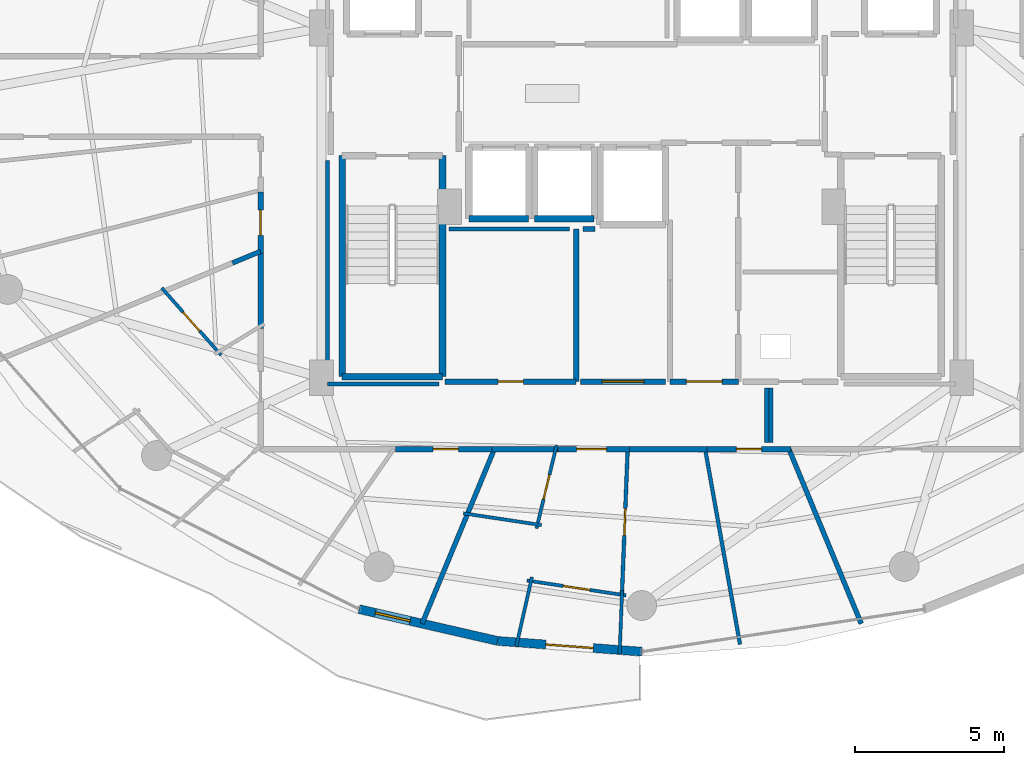
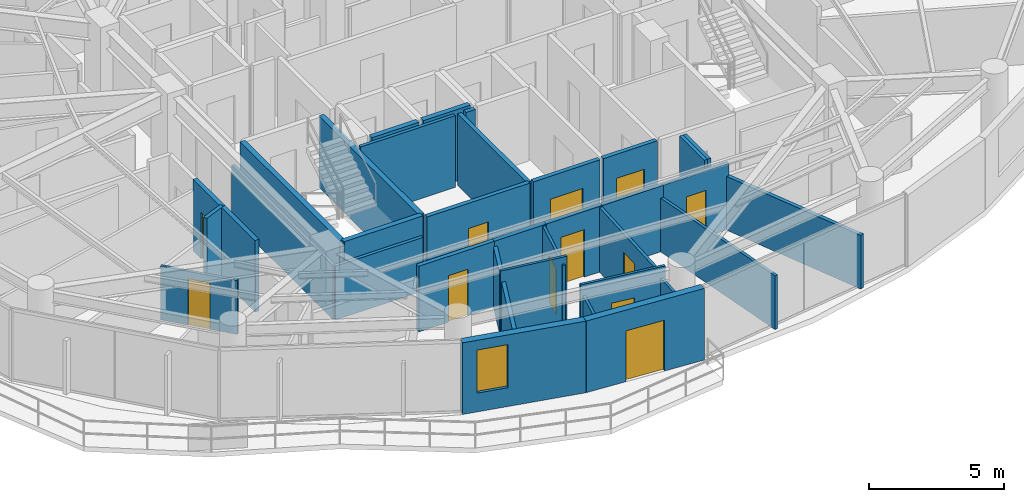
# One storey, part 20 of 28: 35 walls, 12 doors, 1 window, 13 openings.
"""IFC4 building model written with IfcOpenShell, lengths in metres."""

import ifcopenshell
import ifcopenshell.guid

model = None  # the IFC model being written
_history = None  # IfcOwnerHistory: only IFC2X3 demands one
_inside = {}  # id of a spatial element -> (the spatial element, [elements in it])
_under = {}  # id of a project, library or spatial element -> (it, [spatial elements below it])
_declared = {}  # id of a project -> (the project, [libraries it declares])
_typed = {}  # id of a type object -> (the type object, [elements of that type])
_made_of = {}  # id of a material, layer set ... -> (it, [elements and type objects made of it])


def new_model(schema):
    """Start an empty IFC model of exactly this schema.

    Asked for "IFC4X3", IfcOpenShell would pick the latest addendum, in which some entities
    have other attributes; the version numbers below select the first issue.
    IFC2X3 requires an IfcOwnerHistory on every rooted entity: one is made here for all.
    """
    global model, _history
    if schema == "IFC4X3":
        model = ifcopenshell.file(schema_version=(4, 3, 0, 0))
    else:
        model = ifcopenshell.file(schema=schema)
    _inside.clear()
    _under.clear()
    _declared.clear()
    _typed.clear()
    _made_of.clear()
    _history = None
    if model.schema == "IFC2X3":
        org = make("IfcOrganization", Name="unknown")
        user = make(
            "IfcPersonAndOrganization",
            ThePerson=make("IfcPerson", FamilyName="unknown"),
            TheOrganization=org,
        )
        app = make(
            "IfcApplication",
            ApplicationDeveloper=org,
            Version="unknown",
            ApplicationFullName="unknown",
            ApplicationIdentifier="unknown",
        )
        _history = make(
            "IfcOwnerHistory",
            OwningUser=user,
            OwningApplication=app,
            ChangeAction="ADDED",
            CreationDate=0,
        )
    return model


def make(cls, **values):
    """One entity of the class cls with the attributes given. An attribute that is None is left unset."""
    return model.create_entity(
        cls, **{name: value for name, value in values.items() if value is not None}
    )


def rooted(cls, **values):
    """An entity with a GlobalId (a new one), such as an element, a storey or a relation."""
    return make(cls, GlobalId=ifcopenshell.guid.new(), OwnerHistory=_history, **values)


def si_unit(unit_type, name, prefix=None):
    """IfcSIUnit, for example si_unit("LENGTHUNIT", "METRE", prefix="MILLI")."""
    return make("IfcSIUnit", UnitType=unit_type, Prefix=prefix, Name=name)


def assignment(units):
    """IfcUnitAssignment: the units of a project."""
    return None if units is None else make("IfcUnitAssignment", Units=units)


def point(xyz):
    """IfcCartesianPoint."""
    return None if xyz is None else make("IfcCartesianPoint", Coordinates=xyz)


def direction(xyz):
    """IfcDirection."""
    return None if xyz is None else make("IfcDirection", DirectionRatios=xyz)


def frame(location, z_axis=None, x_axis=None):
    """IfcAxis2Placement3D, a coordinate frame: its origin and axes. An axis left out is left unset."""
    return make(
        "IfcAxis2Placement3D",
        Location=point(location),
        Axis=direction(z_axis),
        RefDirection=direction(x_axis),
    )


def frame_2d(location, x_axis=None):
    """IfcAxis2Placement2D, a coordinate frame in the plane: its origin and x axis."""
    return make(
        "IfcAxis2Placement2D", Location=point(location), RefDirection=direction(x_axis)
    )


def origin():
    """The frame at (0, 0, 0) with its axes left unset."""
    return frame((0.0, 0.0, 0.0))


def place(relative_to, where):
    """IfcLocalPlacement: puts the frame where relative to a parent placement (None: the world)."""
    return make(
        "IfcLocalPlacement", PlacementRelTo=relative_to, RelativePlacement=where
    )


def context(
    kind, dimensions, precision=None, world=None, true_north=None, identifier=None
):
    """IfcGeometricRepresentationContext, for example the 3D "Model" context."""
    return make(
        "IfcGeometricRepresentationContext",
        ContextIdentifier=identifier,
        ContextType=kind,
        CoordinateSpaceDimension=dimensions,
        Precision=precision,
        WorldCoordinateSystem=world,
        TrueNorth=true_north,
    )


def subcontext(parent, identifier, kind, view, scale=None):
    """IfcGeometricRepresentationSubContext, for example "Body" below "Model"."""
    return make(
        "IfcGeometricRepresentationSubContext",
        ContextIdentifier=identifier,
        ContextType=kind,
        ParentContext=parent,
        TargetScale=scale,
        TargetView=view,
    )


def project(units=None, contexts=None):
    """IfcProject with its units and contexts."""
    return rooted(
        "IfcProject",
        Name="project",
        RepresentationContexts=contexts,
        UnitsInContext=assignment(units),
    )


def spatial(cls, under=None, at=None, **own):
    """A site, building, storey or space (cls), placed at a placement, below another one or the project."""
    s = rooted(cls, ObjectPlacement=at, **own)
    if under is not None:
        _under.setdefault(under.id(), (under, []))[1].append(s)
    return s


def profile(cls, at=None, kind="AREA", **sizes):
    """A parametric profile (cls). Its sizes go by their IFC names, for example OverallWidth=200.0."""
    return make(cls, ProfileType=kind, Position=at, **sizes)


def rectangle(**sizes):
    """IfcRectangleProfileDef."""
    return profile("IfcRectangleProfileDef", **sizes)


def extrude(swept, where, along, depth):
    """IfcExtrudedAreaSolid: the profile swept, set in the frame where, extruded along a direction by depth."""
    return make(
        "IfcExtrudedAreaSolid",
        SweptArea=swept,
        Position=where,
        ExtrudedDirection=direction(along),
        Depth=depth,
    )


def shape(context_of_items, identifier, shape_type, items):
    """IfcShapeRepresentation: the items that make up one representation, for example the "Body"."""
    return make(
        "IfcShapeRepresentation",
        ContextOfItems=context_of_items,
        RepresentationIdentifier=identifier,
        RepresentationType=shape_type,
        Items=items,
    )


def material(Name=None, Category=None):
    """IfcMaterial."""
    return make("IfcMaterial", Name=Name, Category=Category)


def layer(
    of_material, thickness, ventilated=None, Name=None, Category=None, Priority=None
):
    """IfcMaterialLayer: one layer of a wall or slab, of a material (None: an air gap)."""
    return make(
        "IfcMaterialLayer",
        Material=of_material,
        LayerThickness=thickness,
        IsVentilated=ventilated,
        Name=Name,
        Category=Category,
        Priority=Priority,
    )


def layer_set(layers, Name=None):
    """IfcMaterialLayerSet."""
    return make("IfcMaterialLayerSet", MaterialLayers=layers, LayerSetName=Name)


def made_of(thing, what):
    """Note that an element or type object is made of a material, layer set ...; save() writes the relation."""
    if what is not None:
        _made_of.setdefault(what.id(), (what, []))[1].append(thing)
    return thing


def type_object(cls, material=None, **own):
    """A type object (cls), such as IfcWallType, which elements share."""
    return made_of(rooted(cls, **own), material)


def element(
    cls,
    number,
    at=None,
    inside=None,
    cuts=None,
    type_object=None,
    material=None,
    context=None,
    identifier="Body",
    shape_type=None,
    held_by="IfcProductDefinitionShape",
    body=None,
    shapes=None,
    **own,
):
    """One element of the class cls, such as IfcWall. Its Tag is "e" and its number.

    at: its placement. inside: the storey or other place that contains it. cuts: it is an
    opening in that element (IfcRelVoidsElement). A single representation is given by context,
    identifier, shape_type and body (its items); several are given by shapes. held_by: the class
    of the entity that holds the representations. save() writes the other relations.
    """
    e = rooted(cls, Tag="e%d" % number, ObjectPlacement=at, **own)
    if body is not None:
        shapes = [shape(context, identifier, shape_type, body)]
    if shapes is not None:
        e.Representation = make(held_by, Representations=shapes)
    if inside is not None:
        _inside.setdefault(inside.id(), (inside, []))[1].append(e)
    if cuts is not None:
        rooted(
            "IfcRelVoidsElement", RelatingBuildingElement=cuts, RelatedOpeningElement=e
        )
    if type_object is not None:
        _typed.setdefault(type_object.id(), (type_object, []))[1].append(e)
    return made_of(e, material)


def fill(opening, filler):
    """IfcRelFillsElement: the door or window that sits in an opening."""
    return rooted(
        "IfcRelFillsElement",
        RelatingOpeningElement=opening,
        RelatedBuildingElement=filler,
    )


def aggregate(whole, parts):
    """IfcRelAggregates: a whole, such as a stair, and the parts it consists of."""
    return rooted("IfcRelAggregates", RelatingObject=whole, RelatedObjects=parts)


def save(model, path):
    """Write the relations noted so far, then the file.

    IfcRelAggregates (storeys below a building ...), IfcRelContainedInSpatialStructure (elements
    in a storey), IfcRelDefinesByType, IfcRelAssociatesMaterial and IfcRelDeclares: one each for
    every whole, place, type object, material and project.
    """
    for whole, parts in _under.values():
        aggregate(whole, parts)
    for where, things in _inside.values():
        rooted(
            "IfcRelContainedInSpatialStructure",
            RelatedElements=things,
            RelatingStructure=where,
        )
    for kind, things in _typed.values():
        rooted("IfcRelDefinesByType", RelatedObjects=things, RelatingType=kind)
    for what, things in _made_of.values():
        rooted("IfcRelAssociatesMaterial", RelatedObjects=things, RelatingMaterial=what)
    for by, libraries in _declared.values():
        rooted("IfcRelDeclares", RelatingContext=by, RelatedDefinitions=libraries)
    model.write(path)


model = new_model("IFC4")

# Units and contexts
model_context = context("Model", 3, precision=1e-05, world=origin(), true_north=direction((0.0, 1.0)))
body_context = subcontext(model_context, "Body", "Model", "MODEL_VIEW")
ifc_project = project(units=[si_unit("LENGTHUNIT", "METRE"), si_unit("AREAUNIT", "SQUARE_METRE"), si_unit("VOLUMEUNIT", "CUBIC_METRE"), si_unit("PLANEANGLEUNIT", "RADIAN"), si_unit("MASSUNIT", "GRAM", prefix="KILO")], contexts=[model_context])

# Site, building, storey
site_placement = place(None, origin())
site = spatial("IfcSite", under=ifc_project, at=site_placement, CompositionType="ELEMENT")
building_placement = place(site_placement, origin())
building = spatial("IfcBuilding", under=site, at=building_placement, Name="Vorneva Point Tower", CompositionType="ELEMENT")
storey_placement = place(building_placement, frame((0.0, 0.0, 139.60009765625)))
storey = spatial("IfcBuildingStorey", under=building, at=storey_placement, Name="L37", CompositionType="ELEMENT", Elevation=139.60009765625)

# Wall, opening, window
ifc_material_1 = material(Name="Precast concrete B50 (C40/50)", Category="concrete")
ifc_layer_1 = layer(ifc_material_1, 0.300048828125)
ifc_layer_set_1 = layer_set([ifc_layer_1], Name="Precast concrete B50 (C40/50)")
wall_type_1 = type_object("IfcWallType", Name="WL-EXT-300", PredefinedType="STANDARD", material=ifc_layer_set_1)
wall_1_placement = place(storey_placement, frame((28.509521484375, 8.67724609375, 0.0), z_axis=(0.0, 0.0, 1.0), x_axis=(0.974698897188, -0.223521944832, 0.0)))
wall_1 = element("IfcWall", 1, at=wall_1_placement, inside=storey, type_object=wall_type_1, Name="L37 Pale-Metal Facade Spandrel Wall 12.1", PredefinedType="STANDARD", context=body_context, shape_type="SweptSolid", body=[
    extrude(rectangle(XDim=4.773193359375, YDim=0.300048828125, at=frame_2d((2.38671875, 0.0))), origin(), (0.0, 0.0, 1.0), 3.239990234375),
])
opening_1_placement = place(wall_1_placement, frame((0.55908203125, 0.0, 0.85009765625)))
opening_1 = element("IfcOpeningElement", 2, at=opening_1_placement, cuts=wall_1, Name="Opening W-04", PredefinedType="OPENING", context=body_context, shape_type="SweptSolid", body=[
    extrude(rectangle(XDim=1.199951171875, YDim=1.949951171875, at=frame_2d((0.60009765625, 0.97509765625))), frame((0.0, 0.1650390625, 0.0), z_axis=(0.0, -1.0, 0.0), x_axis=(1.0, 0.0, 0.0)), (0.0, 0.0, 1.0), 0.329833984375),
])
ifc_material_2 = material(Name="Double low-e laminated glass IGU", Category="glass")
window_type = type_object("IfcWindowType", Name="WN-RES-1200", PartitioningType="SINGLE_PANEL", PredefinedType="WINDOW", material=ifc_material_2)
window_placement = place(opening_1_placement, origin())
window = element("IfcWindow", 3, at=window_placement, inside=storey, type_object=window_type, Name="L37 Dwelling Vision Window 02", OverallHeight=1.949951171875, OverallWidth=1.199951171875, PartitioningType="SINGLE_PANEL", PredefinedType="WINDOW", context=body_context, shape_type="SweptSolid", body=[
    extrude(rectangle(XDim=1.199951171875, YDim=1.949951171875, at=frame_2d((0.60009765625, 0.97509765625))), frame((0.0, 0.030029296875, 0.0), z_axis=(0.0, -1.0, 0.0), x_axis=(1.0, 0.0, 0.0)), (0.0, 0.0, 1.0), 0.06005859375),
])
fill(opening_1, window)

# Wall, opening, door
wall_2_placement = place(storey_placement, frame((33.161865234375, 7.6103515625, 0.0), z_axis=(0.0, 0.0, 1.0), x_axis=(0.997237740067, -0.074275768499, 0.0)))
wall_2 = element("IfcWall", 4, at=wall_2_placement, inside=storey, type_object=wall_type_1, Name="L37 Pale-Metal Facade Spandrel Wall 12.2", PredefinedType="STANDARD", context=body_context, shape_type="SweptSolid", body=[
    extrude(rectangle(XDim=4.8515625, YDim=0.300048828125, at=frame_2d((2.42578125, 0.0))), origin(), (0.0, 0.0, 1.0), 3.239990234375),
])
opening_2_placement = place(wall_2_placement, frame((1.625732421875, 0.0, 0.0)))
opening_2 = element("IfcOpeningElement", 5, at=opening_2_placement, cuts=wall_2, Name="Opening BD-01", PredefinedType="OPENING", context=body_context, shape_type="SweptSolid", body=[
    extrude(rectangle(XDim=1.60009765625, YDim=2.300048828125, at=frame_2d((0.800048828125, 1.14990234375))), frame((0.0, 0.1650390625, 0.0), z_axis=(0.0, -1.0, 0.0), x_axis=(1.0, 0.0, 0.0)), (0.0, 0.0, 1.0), 0.329833984375),
])
ifc_material_3 = material(Name="Pale anodised aluminium", Category="aluminium")
door_type_1 = type_object("IfcDoorType", Name="DR-BAL-1600", OperationType="SLIDING_TO_LEFT", PredefinedType="DOOR", material=ifc_material_3)
door_1_placement = place(opening_2_placement, origin())
door_1 = element("IfcDoor", 6, at=door_1_placement, inside=storey, type_object=door_type_1, Name="L37 Balcony Terrace Access Door 12", OperationType="SLIDING_TO_LEFT", OverallHeight=2.300048828125, OverallWidth=1.60009765625, PredefinedType="DOOR", context=body_context, shape_type="SweptSolid", body=[
    extrude(rectangle(XDim=1.60009765625, YDim=2.300048828125, at=frame_2d((0.800048828125, 1.14990234375))), frame((0.0, 0.02490234375, 0.0), z_axis=(0.0, -1.0, 0.0), x_axis=(1.0, 0.0, 0.0)), (0.0, 0.0, 1.0), 0.050048828125),
])
fill(opening_2, door_1)

ifc_material_4 = material(Name="Fire-rated acoustic gypsum stud partition", Category="gypsum")
ifc_layer_2 = layer(ifc_material_4, 0.110107421875)
ifc_layer_set_2 = layer_set([ifc_layer_2], Name="Fire-rated acoustic gypsum stud partition")
wall_type_2 = type_object("IfcWallType", Name="WL-PART-110", PredefinedType="PARTITIONING", material=ifc_layer_set_2)
wall_3_placement = place(storey_placement, frame((23.87158203125, 17.211181640625, 0.0), z_axis=(0.0, 0.0, 1.0), x_axis=(-0.66196248337, 0.74953697081, 0.0)))
wall_3 = element("IfcWall", 7, at=wall_3_placement, inside=storey, type_object=wall_type_2, Name="L37 Interior Partition 118", PredefinedType="PARTITIONING", context=body_context, shape_type="SweptSolid", body=[
    extrude(rectangle(XDim=3.008056640625, YDim=0.110107421875, at=frame_2d((1.50390625, 0.0))), origin(), (0.0, 0.0, 1.0), 2.431884765625),
])
opening_3_placement = place(wall_3_placement, frame((1.0791015625, 0.0, 0.0)))
opening_3 = element("IfcOpeningElement", 8, at=opening_3_placement, cuts=wall_3, Name="Opening ID-02", PredefinedType="OPENING", context=body_context, shape_type="SweptSolid", body=[
    extrude(rectangle(XDim=0.85009765625, YDim=2.10009765625, at=frame_2d((0.425048828125, 1.050048828125))), frame((0.0, 0.06982421875, 0.0), z_axis=(0.0, -1.0, 0.0), x_axis=(1.0, 0.0, 0.0)), (0.0, 0.0, 1.0), 0.139892578125),
])
ifc_material_5 = material(Name="Engineered oak fire-rated door leaf", Category="wood")
door_type_2 = type_object("IfcDoorType", Name="DR-BATH-850", OperationType="NOTDEFINED", PredefinedType="DOOR", material=ifc_material_5)
door_2_placement = place(opening_3_placement, origin())
door_2 = element("IfcDoor", 9, at=door_2_placement, inside=storey, type_object=door_type_2, Name="L37 Door Living and Dining Room L37-05 / Bathroom L37-05", OperationType="SINGLE_SWING_LEFT", OverallHeight=2.10009765625, OverallWidth=0.85009765625, PredefinedType="DOOR", context=body_context, shape_type="SweptSolid", body=[
    extrude(rectangle(XDim=0.85009765625, YDim=2.10009765625, at=frame_2d((0.425048828125, 1.050048828125))), frame((0.0, 0.02490234375, 0.0), z_axis=(0.0, -1.0, 0.0), x_axis=(1.0, 0.0, 0.0)), (0.0, 0.0, 1.0), 0.050048828125),
])
fill(opening_3, door_2)

wall_4_placement = place(storey_placement, frame((35.143798828125, 14.18603515625, 0.0), z_axis=(0.0, 0.0, 1.0), x_axis=(-0.234930486238, -0.972012174119, 0.0)))
wall_4 = element("IfcWall", 10, at=wall_4_placement, inside=storey, type_object=wall_type_2, Name="L37 Interior Partition 126", PredefinedType="PARTITIONING", context=body_context, shape_type="SweptSolid", body=[
    extrude(rectangle(XDim=2.880615234375, YDim=0.110107421875, at=frame_2d((1.4404296875, 0.0))), origin(), (0.0, 0.0, 1.0), 2.921875),
])
opening_4_placement = place(wall_4_placement, frame((1.015380859375, 0.0, 0.0)))
opening_4 = element("IfcOpeningElement", 11, at=opening_4_placement, cuts=wall_4, Name="Opening ID-02", PredefinedType="OPENING", context=body_context, shape_type="SweptSolid", body=[
    extrude(rectangle(XDim=0.85009765625, YDim=2.10009765625, at=frame_2d((0.425048828125, 1.050048828125))), frame((0.0, 0.06982421875, 0.0), z_axis=(0.0, -1.0, 0.0), x_axis=(1.0, 0.0, 0.0)), (0.0, 0.0, 1.0), 0.139892578125),
])
door_3_placement = place(opening_4_placement, origin())
door_3 = element("IfcDoor", 12, at=door_3_placement, inside=storey, type_object=door_type_2, Name="L37 Door Living and Dining Room L37-06 / Bathroom L37-06", OperationType="SINGLE_SWING_RIGHT", OverallHeight=2.10009765625, OverallWidth=0.85009765625, PredefinedType="DOOR", context=body_context, shape_type="SweptSolid", body=[
    extrude(rectangle(XDim=0.85009765625, YDim=2.10009765625, at=frame_2d((0.425048828125, 1.050048828125))), frame((0.0, 0.02490234375, 0.0), z_axis=(0.0, -1.0, 0.0), x_axis=(1.0, 0.0, 0.0)), (0.0, 0.0, 1.0), 0.050048828125),
])
fill(opening_4, door_3)

# Wall
wall_5_placement = place(storey_placement, frame((34.638427734375, 11.501220703125, 0.0), z_axis=(0.0, 0.0, 1.0), x_axis=(-0.988839741605, 0.148983104484, 0.0)))
element("IfcWall", 13, at=wall_5_placement, inside=storey, type_object=wall_type_2, Name="L37 Interior Partition 127", PredefinedType="PARTITIONING", context=body_context, shape_type="SweptSolid", body=[
    extrude(rectangle(XDim=2.65625, YDim=0.110107421875, at=frame_2d((1.328125, 0.0))), origin(), (0.0, 0.0, 1.0), 3.239990234375),
])

# Wall, opening, door
wall_6_placement = place(storey_placement, frame((34.1455078125, 9.639892578125, 0.0), z_axis=(0.0, 0.0, 1.0), x_axis=(0.988887919082, -0.148662986296, 0.0)))
wall_6 = element("IfcWall", 14, at=wall_6_placement, inside=storey, type_object=wall_type_2, Name="L37 Interior Partition 128", PredefinedType="PARTITIONING", context=body_context, shape_type="SweptSolid", body=[
    extrude(rectangle(XDim=3.3681640625, YDim=0.110107421875, at=frame_2d((1.68408203125, 0.0))), origin(), (0.0, 0.0, 1.0), 3.239990234375),
])
opening_5_placement = place(wall_6_placement, frame((1.234130859375, 0.0, 0.0)))
opening_5 = element("IfcOpeningElement", 15, at=opening_5_placement, cuts=wall_6, Name="Opening ID-01", PredefinedType="OPENING", context=body_context, shape_type="SweptSolid", body=[
    extrude(rectangle(XDim=0.89990234375, YDim=2.10009765625, at=frame_2d((0.449951171875, 1.050048828125))), frame((0.0, 0.06982421875, 0.0), z_axis=(0.0, -1.0, 0.0), x_axis=(1.0, 0.0, 0.0)), (0.0, 0.0, 1.0), 0.139892578125),
])
door_type_3 = type_object("IfcDoorType", Name="DR-ROOM-900", OperationType="NOTDEFINED", PredefinedType="DOOR", material=ifc_material_5)
door_4_placement = place(opening_5_placement, origin())
door_4 = element("IfcDoor", 16, at=door_4_placement, inside=storey, type_object=door_type_3, Name="L37 Door Living and Dining Room L37-06 / Kitchen L37-06", OperationType="SINGLE_SWING_LEFT", OverallHeight=2.10009765625, OverallWidth=0.89990234375, PredefinedType="DOOR", context=body_context, shape_type="SweptSolid", body=[
    extrude(rectangle(XDim=0.89990234375, YDim=2.10009765625, at=frame_2d((0.449951171875, 1.050048828125))), frame((0.0, 0.02490234375, 0.0), z_axis=(0.0, -1.0, 0.0), x_axis=(1.0, 0.0, 0.0)), (0.0, 0.0, 1.0), 0.050048828125),
])
fill(opening_5, door_4)

# Walls
wall_7_placement = place(storey_placement, frame((33.787109375, 7.425537109375, 0.0), z_axis=(0.0, 0.0, 1.0), x_axis=(0.220932027223, 0.975289208054, 0.0)))
element("IfcWall", 17, at=wall_7_placement, inside=storey, type_object=wall_type_2, Name="L37 Interior Partition 129", PredefinedType="PARTITIONING", context=body_context, shape_type="SweptSolid", body=[
    extrude(rectangle(XDim=2.38916015625, YDim=0.110107421875, at=frame_2d((1.194580078125, 0.0))), origin(), (0.0, 0.0, 1.0), 2.727783203125),
])
wall_8_placement = place(storey_placement, frame((37.259521484375, 7.1650390625, 0.0), z_axis=(0.0, 0.0, 1.0), x_axis=(0.039310852952, 0.999227029679, 0.0)))
element("IfcWall", 18, at=wall_8_placement, inside=storey, type_object=wall_type_2, Name="L37 Interior Partition 131", PredefinedType="PARTITIONING", context=body_context, shape_type="SweptSolid", body=[
    extrude(rectangle(XDim=2.136474609375, YDim=0.110107421875, at=frame_2d((1.068359375, 0.0))), origin(), (0.0, 0.0, 1.0), 2.727783203125),
])

# Wall, opening, door
ifc_layer_3 = layer(ifc_material_4, 0.125)
ifc_layer_set_3 = layer_set([ifc_layer_3], Name="Fire-rated acoustic gypsum stud partition")
wall_type_3 = type_object("IfcWallType", Name="WL-PART-125", PredefinedType="PARTITIONING", material=ifc_layer_set_3)
wall_9_placement = place(storey_placement, frame((37.337890625, 9.159912109375, 0.0), z_axis=(0.0, 0.0, 1.0), x_axis=(0.039260769946, 0.99922899875, 0.0)))
wall_9 = element("IfcWall", 19, at=wall_9_placement, inside=storey, type_object=wall_type_3, Name="L37 Interior Partition 130", PredefinedType="PARTITIONING", context=body_context, shape_type="SweptSolid", body=[
    extrude(rectangle(XDim=4.893798828125, YDim=0.125, at=frame_2d((2.44677734375, 0.0))), origin(), (0.0, 0.0, 1.0), 2.921875),
])
opening_6_placement = place(wall_9_placement, frame((1.996826171875, 0.0, 0.0)))
opening_6 = element("IfcOpeningElement", 20, at=opening_6_placement, cuts=wall_9, Name="Opening ID-01", PredefinedType="OPENING", context=body_context, shape_type="SweptSolid", body=[
    extrude(rectangle(XDim=0.89990234375, YDim=2.10009765625, at=frame_2d((0.449951171875, 1.050048828125))), frame((0.0, 0.077392578125, 0.0), z_axis=(0.0, -1.0, 0.0), x_axis=(1.0, 0.0, 0.0)), (0.0, 0.0, 1.0), 0.15478515625),
])
door_5_placement = place(opening_6_placement, origin())
door_5 = element("IfcDoor", 21, at=door_5_placement, inside=storey, type_object=door_type_3, Name="L37 Door Living and Dining Room L37-06 / Master Bedroom L37-06.1", OperationType="SINGLE_SWING_RIGHT", OverallHeight=2.10009765625, OverallWidth=0.89990234375, PredefinedType="DOOR", context=body_context, shape_type="SweptSolid", body=[
    extrude(rectangle(XDim=0.89990234375, YDim=2.10009765625, at=frame_2d((0.449951171875, 1.050048828125))), frame((0.0, 0.02490234375, 0.0), z_axis=(0.0, -1.0, 0.0), x_axis=(1.0, 0.0, 0.0)), (0.0, 0.0, 1.0), 0.050048828125),
])
fill(opening_6, door_5)

# Walls
wall_10_placement = place(storey_placement, frame((41.303955078125, 7.4970703125, 0.0), z_axis=(0.0, 0.0, 1.0), x_axis=(-0.175753825846, 0.984434148484, 0.0)))
element("IfcWall", 22, at=wall_10_placement, inside=storey, type_object=wall_type_3, Name="L37 Interior Partition 132", PredefinedType="PARTITIONING", context=body_context, shape_type="SweptSolid", body=[
    extrude(rectangle(XDim=6.656494140625, YDim=0.125, at=frame_2d((3.328125, 0.0))), origin(), (0.0, 0.0, 1.0), 2.431884765625),
])
ifc_layer_4 = layer(ifc_material_4, 0.139892578125)
ifc_layer_set_4 = layer_set([ifc_layer_4], Name="Fire-rated acoustic gypsum stud partition")
wall_type_4 = type_object("IfcWallType", Name="WL-PART-140", PredefinedType="PARTITIONING", material=ifc_layer_set_4)
wall_11_placement = place(storey_placement, frame((35.580078125, 21.449951171875, 0.0), z_axis=(0.0, 0.0, 1.0), x_axis=(-1.0, 0.0, 0.0)))
element("IfcWall", 23, at=wall_11_placement, inside=storey, type_object=wall_type_4, Name="L37 Interior Closure Partition 140", PredefinedType="PARTITIONING", context=body_context, shape_type="SweptSolid", body=[
    extrude(rectangle(XDim=4.050048828125, YDim=0.139892578125, at=frame_2d((2.02490234375, 0.0))), origin(), (0.0, 0.0, 1.0), 3.239990234375),
])
wall_12_placement = place(storey_placement, frame((27.449951171875, 23.75390625, 0.0), z_axis=(0.0, 0.0, 1.0), x_axis=(0.0, -1.0, 0.0)))
element("IfcWall", 24, at=wall_12_placement, inside=storey, type_object=wall_type_4, Name="L37 Interior Closure Partition 150", PredefinedType="PARTITIONING", context=body_context, shape_type="SweptSolid", body=[
    extrude(rectangle(XDim=7.513916015625, YDim=0.139892578125, at=frame_2d((3.7568359375, 0.0))), origin(), (0.0, 0.0, 1.0), 2.431884765625),
])
wall_13_placement = place(storey_placement, frame((27.449951171875, 16.239990234375, 0.0), z_axis=(0.0, 0.0, 1.0), x_axis=(1.0, 0.0, 0.0)))
element("IfcWall", 25, at=wall_13_placement, inside=storey, type_object=wall_type_4, Name="L37 Interior Closure Partition 151", PredefinedType="PARTITIONING", context=body_context, shape_type="SweptSolid", body=[
    extrude(rectangle(XDim=3.7451171875, YDim=0.139892578125, at=frame_2d((1.87255859375, 0.0))), origin(), (0.0, 0.0, 1.0), 2.431884765625),
])
for number, where, z_axis, x_axis, name in (
    (26, (42.199951171875, 16.10009765625, 0.0), (0.0, 0.0, 1.0), (0.0, -1.0, 0.0), "L37 Interior Closure Partition 152"),
    (27, (42.340087890625, 14.27001953125, 0.0), (0.0, 0.0, 1.0), (0.0, 1.0, 0.0), "L37 Interior Closure Partition 153"),
):
    element("IfcWall", number, at=place(storey_placement, frame(where, z_axis=z_axis, x_axis=x_axis)), inside=storey, type_object=wall_type_4, Name=name, PredefinedType="PARTITIONING", context=body_context, shape_type="SweptSolid", body=[
        extrude(rectangle(XDim=1.830078125, YDim=0.139892578125, at=frame_2d((0.9150390625, 0.0))), origin(), (0.0, 0.0, 1.0), 3.239990234375),
    ])
ifc_layer_5 = layer(ifc_material_4, 0.159912109375)
ifc_layer_set_5 = layer_set([ifc_layer_5], Name="Fire-rated acoustic gypsum stud partition")
wall_type_5 = type_object("IfcWallType", Name="WL-PART-160", PredefinedType="PARTITIONING", material=ifc_layer_set_5)
wall_14_placement = place(storey_placement, frame((24.253662109375, 20.306396484375, 0.0), z_axis=(0.0, 0.0, 1.0), x_axis=(0.923789545328, 0.382900608439, 0.0)))
element("IfcWall", 28, at=wall_14_placement, inside=storey, type_object=wall_type_5, Name="L37 Interior Partition 116", PredefinedType="PARTITIONING", context=body_context, shape_type="SweptSolid", body=[
    extrude(rectangle(XDim=1.021484375, YDim=0.159912109375, at=frame_2d((0.5107421875, 0.0))), origin(), (0.0, 0.0, 1.0), 3.239990234375),
])
wall_15_placement = place(storey_placement, frame((30.6240234375, 8.193115234375, 0.0), z_axis=(0.0, 0.0, 1.0), x_axis=(0.382683979298, 0.923879305964, 0.0)))
element("IfcWall", 29, at=wall_15_placement, inside=storey, type_object=wall_type_5, Name="L37 Interior Partition 125", PredefinedType="PARTITIONING", context=body_context, shape_type="SweptSolid", body=[
    extrude(rectangle(XDim=6.339599609375, YDim=0.159912109375, at=frame_2d((3.169921875, 0.0))), origin(), (0.0, 0.0, 1.0), 2.727783203125),
])
wall_16_placement = place(storey_placement, frame((45.3759765625, 8.193115234375, 0.0), z_axis=(0.0, 0.0, 1.0), x_axis=(-0.382683979298, 0.923879305964, 0.0)))
element("IfcWall", 30, at=wall_16_placement, inside=storey, type_object=wall_type_5, Name="L37 Interior Partition 133", PredefinedType="PARTITIONING", context=body_context, shape_type="SweptSolid", body=[
    extrude(rectangle(XDim=6.339599609375, YDim=0.159912109375, at=frame_2d((3.169921875, 0.0))), origin(), (0.0, 0.0, 1.0), 2.431884765625),
])

# Wall, opening, door
ifc_material_6 = material(Name="Autoclaved aerated concrete blockwork", Category="masonry")
ifc_layer_6 = layer(ifc_material_6, 0.179931640625)
ifc_layer_set_6 = layer_set([ifc_layer_6], Name="Autoclaved aerated concrete blockwork")
wall_type_6 = type_object("IfcWallType", Name="WL-PART-180", PredefinedType="PARTITIONING", material=ifc_layer_set_6)
wall_17_placement = place(storey_placement, frame((38.949951171875, 16.320068359375, 0.0), z_axis=(0.0, 0.0, 1.0), x_axis=(1.0, 0.0, 0.0)))
wall_17 = element("IfcWall", 31, at=wall_17_placement, inside=storey, type_object=wall_type_6, Name="L37 Interior Partition 016", PredefinedType="PARTITIONING", context=body_context, shape_type="SweptSolid", body=[
    extrude(rectangle(XDim=2.300048828125, YDim=0.179931640625, at=frame_2d((1.14990234375, 0.0))), origin(), (0.0, 0.0, 1.0), 3.239990234375),
])
opening_7_placement = place(wall_17_placement, frame((0.550048828125, 0.0, 0.0)))
opening_7 = element("IfcOpeningElement", 32, at=opening_7_placement, cuts=wall_17, Name="Opening FD-02", PredefinedType="OPENING", context=body_context, shape_type="SweptSolid", body=[
    extrude(rectangle(XDim=1.199951171875, YDim=2.14990234375, at=frame_2d((0.60009765625, 1.074951171875))), frame((0.0, 0.10498046875, 0.0), z_axis=(0.0, -1.0, 0.0), x_axis=(1.0, 0.0, 0.0)), (0.0, 0.0, 1.0), 0.209716796875),
])
ifc_material_7 = material(Name="Fire-rated powder-coated steel", Category="steel")
door_type_4 = type_object("IfcDoorType", Name="DR-FFL-1200", OperationType="NOTDEFINED", PredefinedType="DOOR", material=ifc_material_7)
door_6_placement = place(opening_7_placement, origin())
door_6 = element("IfcDoor", 33, at=door_6_placement, inside=storey, type_object=door_type_4, Name="L37 Door Core Service Lobby / L37 Circulation Corridor", OperationType="SINGLE_SWING_RIGHT", OverallHeight=2.14990234375, OverallWidth=1.199951171875, PredefinedType="DOOR", context=body_context, shape_type="SweptSolid", body=[
    extrude(rectangle(XDim=1.199951171875, YDim=2.14990234375, at=frame_2d((0.60009765625, 1.074951171875))), frame((0.0, 0.02490234375, 0.0), z_axis=(0.0, -1.0, 0.0), x_axis=(1.0, 0.0, 0.0)), (0.0, 0.0, 1.0), 0.050048828125),
])
fill(opening_7, door_6)

# Wall
wall_18_placement = place(storey_placement, frame((35.800048828125, 16.320068359375, 0.0), z_axis=(0.0, 0.0, 1.0), x_axis=(0.0, 1.0, 0.0)))
element("IfcWall", 34, at=wall_18_placement, inside=storey, type_object=wall_type_6, Name="L37 Interior Partition 027", PredefinedType="PARTITIONING", context=body_context, shape_type="SweptSolid", body=[
    extrude(rectangle(XDim=5.1298828125, YDim=0.179931640625, at=frame_2d((2.56494140625, 0.0))), origin(), (0.0, 0.0, 1.0), 3.239990234375),
])

# Wall, opening, door
wall_19_placement = place(storey_placement, frame((31.39990234375, 16.320068359375, 0.0), z_axis=(0.0, 0.0, 1.0), x_axis=(1.0, 0.0, 0.0)))
wall_19 = element("IfcWall", 35, at=wall_19_placement, inside=storey, type_object=wall_type_6, Name="L37 Interior Partition 028", PredefinedType="PARTITIONING", context=body_context, shape_type="SweptSolid", body=[
    extrude(rectangle(XDim=4.400146484375, YDim=0.179931640625, at=frame_2d((2.2001953125, 0.0))), origin(), (0.0, 0.0, 1.0), 3.239990234375),
])
opening_8_placement = place(wall_19_placement, frame((1.77490234375, 0.0, 0.0)))
opening_8 = element("IfcOpeningElement", 36, at=opening_8_placement, cuts=wall_19, Name="Opening ID-02", PredefinedType="OPENING", context=body_context, shape_type="SweptSolid", body=[
    extrude(rectangle(XDim=0.85009765625, YDim=2.10009765625, at=frame_2d((0.425048828125, 1.050048828125))), frame((0.0, 0.10498046875, 0.0), z_axis=(0.0, -1.0, 0.0), x_axis=(1.0, 0.0, 0.0)), (0.0, 0.0, 1.0), 0.209716796875),
])
door_7_placement = place(opening_8_placement, origin())
door_7 = element("IfcDoor", 37, at=door_7_placement, inside=storey, type_object=door_type_2, Name="L37 Door Bicycle Gear Store / L37 Circulation Corridor", OperationType="SINGLE_SWING_LEFT", OverallHeight=2.10009765625, OverallWidth=0.85009765625, PredefinedType="DOOR", context=body_context, shape_type="SweptSolid", body=[
    extrude(rectangle(XDim=0.85009765625, YDim=2.10009765625, at=frame_2d((0.425048828125, 1.050048828125))), frame((0.0, 0.02490234375, 0.0), z_axis=(0.0, -1.0, 0.0), x_axis=(1.0, 0.0, 0.0)), (0.0, 0.0, 1.0), 0.050048828125),
])
fill(opening_8, door_7)

wall_20_placement = place(storey_placement, frame((35.949951171875, 16.320068359375, 0.0), z_axis=(0.0, 0.0, 1.0), x_axis=(1.0, 0.0, 0.0)))
wall_20 = element("IfcWall", 38, at=wall_20_placement, inside=storey, type_object=wall_type_6, Name="L37 Interior Partition 029", PredefinedType="PARTITIONING", context=body_context, shape_type="SweptSolid", body=[
    extrude(rectangle(XDim=2.85009765625, YDim=0.179931640625, at=frame_2d((1.425048828125, 0.0))), origin(), (0.0, 0.0, 1.0), 3.239990234375),
])
opening_9_placement = place(wall_20_placement, frame((0.72509765625, 0.0, 0.0)))
opening_9 = element("IfcOpeningElement", 39, at=opening_9_placement, cuts=wall_20, Name="Opening FD-03", PredefinedType="OPENING", context=body_context, shape_type="SweptSolid", body=[
    extrude(rectangle(XDim=1.39990234375, YDim=2.199951171875, at=frame_2d((0.699951171875, 1.10009765625))), frame((0.0, 0.10498046875, 0.0), z_axis=(0.0, -1.0, 0.0), x_axis=(1.0, 0.0, 0.0)), (0.0, 0.0, 1.0), 0.209716796875),
])
door_type_5 = type_object("IfcDoorType", Name="DR-PLT-1400", OperationType="DOUBLE_SWING_LEFT", PredefinedType="DOOR", material=ifc_material_7)
door_8_placement = place(opening_9_placement, origin())
door_8 = element("IfcDoor", 40, at=door_8_placement, inside=storey, type_object=door_type_5, Name="L37 Door Telecoms and Data Room / L37 Circulation Corridor", OperationType="DOUBLE_SWING_LEFT", OverallHeight=2.199951171875, OverallWidth=1.39990234375, PredefinedType="DOOR", context=body_context, shape_type="SweptSolid", body=[
    extrude(rectangle(XDim=1.39990234375, YDim=2.199951171875, at=frame_2d((0.699951171875, 1.10009765625))), frame((0.0, 0.02490234375, 0.0), z_axis=(0.0, -1.0, 0.0), x_axis=(1.0, 0.0, 0.0)), (0.0, 0.0, 1.0), 0.050048828125),
])
fill(opening_9, door_8)

wall_21_placement = place(storey_placement, frame((25.199951171875, 22.68701171875, 0.0), z_axis=(0.0, 0.0, 1.0), x_axis=(0.0, -1.0, 0.0)))
wall_21 = element("IfcWall", 41, at=wall_21_placement, inside=storey, type_object=wall_type_6, Name="L37 Interior Partition 053", PredefinedType="PARTITIONING", context=body_context, shape_type="SweptSolid", body=[
    extrude(rectangle(XDim=2.053955078125, YDim=0.179931640625, at=frame_2d((1.02685546875, 0.0))), origin(), (0.0, 0.0, 1.0), 3.239990234375),
])
opening_10_placement = place(wall_21_placement, frame((0.60205078125, 0.0, 0.0)))
opening_10 = element("IfcOpeningElement", 42, at=opening_10_placement, cuts=wall_21, Name="Opening ID-02", PredefinedType="OPENING", context=body_context, shape_type="SweptSolid", body=[
    extrude(rectangle(XDim=0.85009765625, YDim=2.10009765625, at=frame_2d((0.425048828125, 1.050048828125))), frame((0.0, 0.10498046875, 0.0), z_axis=(0.0, -1.0, 0.0), x_axis=(1.0, 0.0, 0.0)), (0.0, 0.0, 1.0), 0.209716796875),
])
door_9_placement = place(opening_10_placement, origin())
door_9 = element("IfcDoor", 43, at=door_9_placement, inside=storey, type_object=door_type_2, Name="L37 Access Door L37 Circulation Corridor", OperationType="SINGLE_SWING_LEFT", OverallHeight=2.10009765625, OverallWidth=0.85009765625, PredefinedType="DOOR", context=body_context, shape_type="SweptSolid", body=[
    extrude(rectangle(XDim=0.85009765625, YDim=2.10009765625, at=frame_2d((0.425048828125, 1.050048828125))), frame((0.0, 0.02490234375, 0.0), z_axis=(0.0, -1.0, 0.0), x_axis=(1.0, 0.0, 0.0)), (0.0, 0.0, 1.0), 0.050048828125),
])
fill(opening_10, door_9)

# Wall
wall_22_placement = place(storey_placement, frame((25.199951171875, 20.77294921875, 0.0), z_axis=(0.0, 0.0, 1.0), x_axis=(0.0, -1.0, 0.0)))
element("IfcWall", 44, at=wall_22_placement, inside=storey, type_object=wall_type_6, Name="L37 Interior Partition 055", PredefinedType="PARTITIONING", context=body_context, shape_type="SweptSolid", body=[
    extrude(rectangle(XDim=2.6689453125, YDim=0.179931640625, at=frame_2d((1.33447265625, 0.0))), origin(), (0.0, 0.0, 1.0), 3.239990234375),
])

# Wall, opening, door
wall_23_placement = place(storey_placement, frame((29.73095703125, 14.050048828125, 0.0), z_axis=(0.0, 0.0, 1.0), x_axis=(1.0, 0.0, 0.0)))
wall_23 = element("IfcWall", 45, at=wall_23_placement, inside=storey, type_object=wall_type_6, Name="L37 Interior Partition 057", PredefinedType="PARTITIONING", context=body_context, shape_type="SweptSolid", body=[
    extrude(rectangle(XDim=3.379150390625, YDim=0.179931640625, at=frame_2d((1.689453125, 0.0))), origin(), (0.0, 0.0, 1.0), 2.971923828125),
])
opening_11_placement = place(wall_23_placement, frame((1.264404296875, 0.0, 0.0)))
opening_11 = element("IfcOpeningElement", 46, at=opening_11_placement, cuts=wall_23, Name="Opening ID-02", PredefinedType="OPENING", context=body_context, shape_type="SweptSolid", body=[
    extrude(rectangle(XDim=0.85009765625, YDim=2.10009765625, at=frame_2d((0.425048828125, 1.050048828125))), frame((0.0, 0.10498046875, 0.0), z_axis=(0.0, -1.0, 0.0), x_axis=(1.0, 0.0, 0.0)), (0.0, 0.0, 1.0), 0.209716796875),
])
door_10_placement = place(opening_11_placement, origin())
door_10 = element("IfcDoor", 47, at=door_10_placement, inside=storey, type_object=door_type_2, Name="L37 Access Door L37 Circulation Corridor", OperationType="SINGLE_SWING_RIGHT", OverallHeight=2.10009765625, OverallWidth=0.85009765625, PredefinedType="DOOR", context=body_context, shape_type="SweptSolid", body=[
    extrude(rectangle(XDim=0.85009765625, YDim=2.10009765625, at=frame_2d((0.425048828125, 1.050048828125))), frame((0.0, 0.02490234375, 0.0), z_axis=(0.0, -1.0, 0.0), x_axis=(1.0, 0.0, 0.0)), (0.0, 0.0, 1.0), 0.050048828125),
])
fill(opening_11, door_10)

wall_24_placement = place(storey_placement, frame((35.049072265625, 14.050048828125, 0.0), z_axis=(0.0, 0.0, 1.0), x_axis=(1.0, 0.0, 0.0)))
wall_24 = element("IfcWall", 48, at=wall_24_placement, inside=storey, type_object=wall_type_6, Name="L37 Interior Partition 058", PredefinedType="PARTITIONING", context=body_context, shape_type="SweptSolid", body=[
    extrude(rectangle(XDim=2.541015625, YDim=0.179931640625, at=frame_2d((1.2705078125, 0.0))), origin(), (0.0, 0.0, 1.0), 2.971923828125),
])
opening_12_placement = place(wall_24_placement, frame((0.7705078125, 0.0, 0.0)))
opening_12 = element("IfcOpeningElement", 49, at=opening_12_placement, cuts=wall_24, Name="Opening UD-01", PredefinedType="OPENING", context=body_context, shape_type="SweptSolid", body=[
    extrude(rectangle(XDim=1.0, YDim=2.14990234375, at=frame_2d((0.5, 1.074951171875))), frame((0.0, 0.10498046875, 0.0), z_axis=(0.0, -1.0, 0.0), x_axis=(1.0, 0.0, 0.0)), (0.0, 0.0, 1.0), 0.209716796875),
])
door_type_6 = type_object("IfcDoorType", Name="DR-UNIT-1000", OperationType="NOTDEFINED", PredefinedType="DOOR", material=ifc_material_5)
door_11_placement = place(opening_12_placement, origin())
door_11 = element("IfcDoor", 50, at=door_11_placement, inside=storey, type_object=door_type_6, Name="L37 Door L37 Circulation Corridor / Living and Dining Room L37-06", OperationType="SINGLE_SWING_RIGHT", OverallHeight=2.14990234375, OverallWidth=1.0, PredefinedType="DOOR", context=body_context, shape_type="SweptSolid", body=[
    extrude(rectangle(XDim=1.0, YDim=2.14990234375, at=frame_2d((0.5, 1.074951171875))), frame((0.0, 0.02490234375, 0.0), z_axis=(0.0, -1.0, 0.0), x_axis=(1.0, 0.0, 0.0)), (0.0, 0.0, 1.0), 0.050048828125),
])
fill(opening_12, door_11)

# Walls
wall_25_placement = place(storey_placement, frame((32.969970703125, 14.050048828125, 0.0), z_axis=(0.0, 0.0, 1.0), x_axis=(1.0, 0.0, 0.0)))
element("IfcWall", 51, at=wall_25_placement, inside=storey, type_object=wall_type_6, Name="L37 Interior Partition 059", PredefinedType="PARTITIONING", context=body_context, shape_type="SweptSolid", body=[
    extrude(rectangle(XDim=2.218994140625, YDim=0.179931640625, at=frame_2d((1.109375, 0.0))), origin(), (0.0, 0.0, 1.0), 2.971923828125),
])
wall_26_placement = place(storey_placement, frame((37.590087890625, 14.050048828125, 0.0), z_axis=(0.0, 0.0, 1.0), x_axis=(1.0, 0.0, 0.0)))
element("IfcWall", 52, at=wall_26_placement, inside=storey, type_object=wall_type_6, Name="L37 Interior Partition 060", PredefinedType="PARTITIONING", context=body_context, shape_type="SweptSolid", body=[
    extrude(rectangle(XDim=2.60498046875, YDim=0.179931640625, at=frame_2d((1.302490234375, 0.0))), origin(), (0.0, 0.0, 1.0), 2.971923828125),
])

# Wall, opening, door
wall_27_placement = place(storey_placement, frame((40.195068359375, 14.050048828125, 0.0), z_axis=(0.0, 0.0, 1.0), x_axis=(1.0, 0.0, 0.0)))
wall_27 = element("IfcWall", 53, at=wall_27_placement, inside=storey, type_object=wall_type_6, Name="L37 Interior Partition 061", PredefinedType="PARTITIONING", context=body_context, shape_type="SweptSolid", body=[
    extrude(rectangle(XDim=2.81982421875, YDim=0.179931640625, at=frame_2d((1.409912109375, 0.0))), origin(), (0.0, 0.0, 1.0), 2.971923828125),
])
opening_13_placement = place(wall_27_placement, frame((0.985107421875, 0.0, 0.0)))
opening_13 = element("IfcOpeningElement", 54, at=opening_13_placement, cuts=wall_27, Name="Opening ID-02", PredefinedType="OPENING", context=body_context, shape_type="SweptSolid", body=[
    extrude(rectangle(XDim=0.85009765625, YDim=2.10009765625, at=frame_2d((0.425048828125, 1.050048828125))), frame((0.0, 0.10498046875, 0.0), z_axis=(0.0, -1.0, 0.0), x_axis=(1.0, 0.0, 0.0)), (0.0, 0.0, 1.0), 0.209716796875),
])
door_12_placement = place(opening_13_placement, origin())
door_12 = element("IfcDoor", 55, at=door_12_placement, inside=storey, type_object=door_type_2, Name="L37 Access Door L37 Circulation Corridor", OperationType="SINGLE_SWING_LEFT", OverallHeight=2.10009765625, OverallWidth=0.85009765625, PredefinedType="DOOR", context=body_context, shape_type="SweptSolid", body=[
    extrude(rectangle(XDim=0.85009765625, YDim=2.10009765625, at=frame_2d((0.425048828125, 1.050048828125))), frame((0.0, 0.02490234375, 0.0), z_axis=(0.0, -1.0, 0.0), x_axis=(1.0, 0.0, 0.0)), (0.0, 0.0, 1.0), 0.050048828125),
])
fill(opening_13, door_12)

# Walls
wall_28_placement = place(storey_placement, frame((36.43896484375, 21.449951171875, 0.0), z_axis=(0.0, 0.0, 1.0), x_axis=(-1.0, 0.0, 0.0)))
element("IfcWall", 56, at=wall_28_placement, inside=storey, type_object=wall_type_6, Name="L37 Interior Closure Partition 141", PredefinedType="PARTITIONING", context=body_context, shape_type="SweptSolid", body=[
    extrude(rectangle(XDim=0.408935546875, YDim=0.179931640625, at=frame_2d((0.20458984375, 0.0))), origin(), (0.0, 0.0, 1.0), 3.239990234375),
])
ifc_material_8 = material(Name="Concrete B50 (C40/50)", Category="concrete")
ifc_layer_7 = layer(ifc_material_8, 0.219970703125)
ifc_layer_set_7 = layer_set([ifc_layer_7], Name="Concrete B50 (C40/50)")
wall_type_7 = type_object("IfcWallType", Name="WL-SHFT-220", PredefinedType="SOLIDWALL", material=ifc_layer_set_7)
wall_29_placement = place(storey_placement, frame((31.31005859375, 23.909912109375, 0.0), z_axis=(0.0, 0.0, 1.0), x_axis=(0.0, -1.0, 0.0)))
element("IfcWall", 57, at=wall_29_placement, inside=storey, type_object=wall_type_7, Name="L37 Exit Stair ST1 Shaft Wall right", PredefinedType="SOLIDWALL", context=body_context, shape_type="SweptSolid", body=[
    extrude(rectangle(XDim=7.419921875, YDim=0.219970703125, at=frame_2d((3.7099609375, 0.0))), origin(), (0.0, 0.0, 1.0), 3.239990234375),
])
wall_30_placement = place(storey_placement, frame((31.31005859375, 16.489990234375, 0.0), z_axis=(0.0, 0.0, 1.0), x_axis=(-1.0, 0.0, 0.0)))
element("IfcWall", 58, at=wall_30_placement, inside=storey, type_object=wall_type_7, Name="L37 Exit Stair ST1 Shaft Wall far", PredefinedType="SOLIDWALL", context=body_context, shape_type="SweptSolid", body=[
    extrude(rectangle(XDim=3.3701171875, YDim=0.219970703125, at=frame_2d((1.68505859375, 0.0))), origin(), (0.0, 0.0, 1.0), 3.239990234375),
])
wall_31_placement = place(storey_placement, frame((27.93994140625, 16.489990234375, 0.0), z_axis=(0.0, 0.0, 1.0), x_axis=(0.0, 1.0, 0.0)))
element("IfcWall", 59, at=wall_31_placement, inside=storey, type_object=wall_type_7, Name="L37 Exit Stair ST1 Shaft Wall left", PredefinedType="SOLIDWALL", context=body_context, shape_type="SweptSolid", body=[
    extrude(rectangle(XDim=7.419921875, YDim=0.219970703125, at=frame_2d((3.7099609375, 0.0))), origin(), (0.0, 0.0, 1.0), 3.239990234375),
])
for number, where, z_axis, x_axis, name in (
    (60, (32.199951171875, 21.800048828125, 0.0), (0.0, 0.0, 1.0), (1.0, 0.0, 0.0), "L37 Lift PL4 Shaft Wall -Y"),
    (61, (34.39990234375, 21.800048828125, 0.0), (0.0, 0.0, 1.0), (1.0, 0.0, 0.0), "L37 Lift PL5 Shaft Wall -Y"),
):
    element("IfcWall", number, at=place(storey_placement, frame(where, z_axis=z_axis, x_axis=x_axis)), inside=storey, type_object=wall_type_7, Name=name, PredefinedType="SOLIDWALL", context=body_context, shape_type="SweptSolid", body=[
        extrude(rectangle(XDim=2.0, YDim=0.219970703125, at=frame_2d((1.0, 0.0))), origin(), (0.0, 0.0, 1.0), 3.239990234375),
    ])

save(model, "model.ifc")
